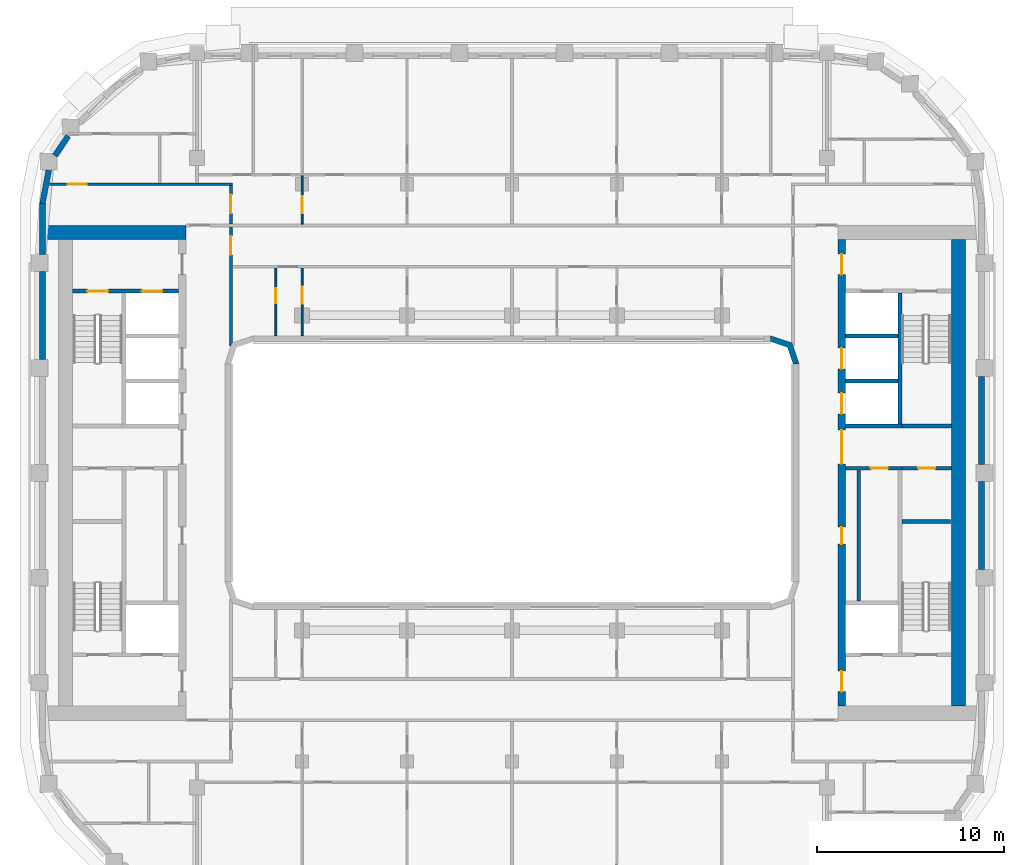
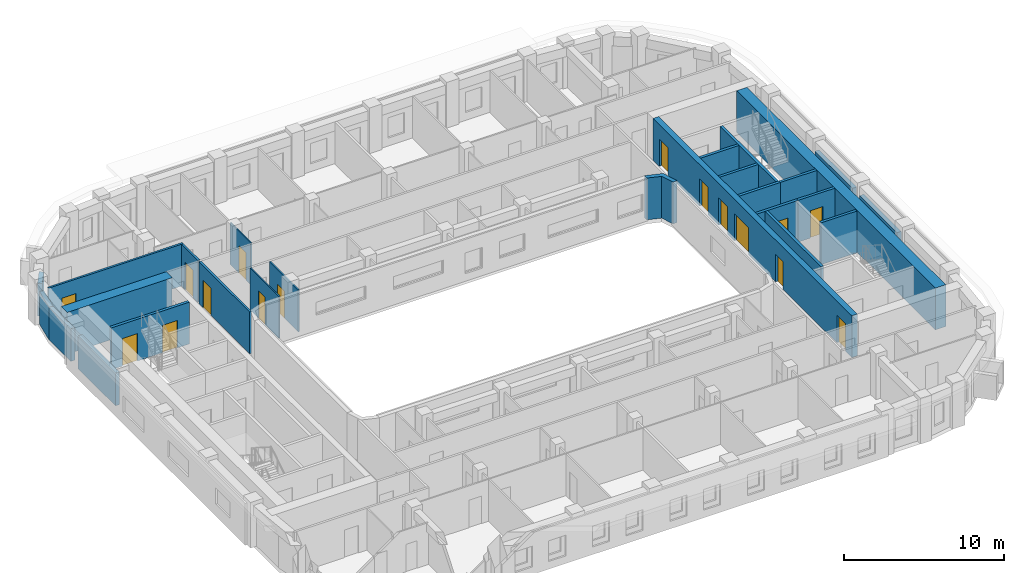
# One storey, part 6 of 21: 26 walls, 16 doors, 16 openings.
"""IFC4 building model written with IfcOpenShell, lengths in metres."""

from ifc_helpers import new_model, si_unit, direction, frame, frame_2d, origin, place, context, subcontext, project, spatial, polyline, rectangle, outline, extrude, material, layer, layer_set, type_object, element, fill, save


model = new_model("IFC4")

# Units and contexts
model_context = context("Model", 3, precision=1e-05, world=origin(), true_north=direction((0.0, 1.0)))
body_context = subcontext(model_context, "Body", "Model", "MODEL_VIEW")
ifc_project = project(units=[si_unit("LENGTHUNIT", "METRE"), si_unit("AREAUNIT", "SQUARE_METRE"), si_unit("VOLUMEUNIT", "CUBIC_METRE"), si_unit("PLANEANGLEUNIT", "RADIAN"), si_unit("MASSUNIT", "GRAM", prefix="KILO")], contexts=[model_context])

# Site, building, storey
site_placement = place(None, origin())
site = spatial("IfcSite", under=ifc_project, at=site_placement, CompositionType="ELEMENT")
building_placement = place(site_placement, origin())
building = spatial("IfcBuilding", under=site, at=building_placement, Name="Kiln Ring Residences", CompositionType="ELEMENT")
storey_placement = place(building_placement, frame((0.0, 0.0, 199.39990234375)))
storey = spatial("IfcBuildingStorey", under=building, at=storey_placement, Name="L51", CompositionType="ELEMENT", Elevation=199.39990234375)

# Wall, opening, door
ifc_material_1 = material(Name="Gypsum board on steel studs", Category="steel")
ifc_layer_1 = layer(ifc_material_1, 0.199951171875)
ifc_layer_set_1 = layer_set([ifc_layer_1], Name="CORE-PARTITION-200")
wall_type_1 = type_object("IfcWallType", Name="CORE-PARTITION-200", PredefinedType="PARTITIONING", material=ifc_layer_set_1)
wall_1_placement = place(storey_placement, frame((20.800048828125, 0.25, 0.0), z_axis=(0.0, 0.0, 1.0), x_axis=(1.0, 0.0, 0.0)))
wall_1 = element("IfcWall", 1, at=wall_1_placement, inside=storey, type_object=wall_type_1, Name="Core partition east L51 1", PredefinedType="PARTITIONING", context=body_context, shape_type="SweptSolid", body=[
    extrude(rectangle(XDim=2.64990234375, YDim=0.199951171875, at=frame_2d((1.324951171875, 0.0))), origin(), (0.0, 0.0, 1.0), 3.2001953125),
])
opening_1_placement = place(wall_1_placement, frame((0.875, 0.0, 0.0)))
opening_1 = element("IfcOpeningElement", 2, at=opening_1_placement, cuts=wall_1, Name="Opening L51-CE12", PredefinedType="OPENING", context=body_context, shape_type="SweptSolid", body=[
    extrude(rectangle(XDim=0.89990234375, YDim=2.10009765625, at=frame_2d((0.449951171875, 1.050048828125))), frame((0.0, 0.10986328125, 0.0), z_axis=(0.0, -1.0, 0.0), x_axis=(1.0, 0.0, 0.0)), (0.0, 0.0, 1.0), 0.219970703125),
])
ifc_material_2 = material(Name="Steel door leaf", Category="steel")
door_type_1 = type_object("IfcDoorType", Name="CORE-DOOR-ROOM", OperationType="SINGLE_SWING_LEFT", PredefinedType="DOOR", material=ifc_material_2)
door_1_placement = place(opening_1_placement, origin())
door_1 = element("IfcDoor", 3, at=door_1_placement, inside=storey, type_object=door_type_1, Name="Comms room L51-CE12", OperationType="SINGLE_SWING_LEFT", OverallHeight=2.10009765625, OverallWidth=0.89990234375, PredefinedType="DOOR", context=body_context, shape_type="SweptSolid", body=[
    extrude(rectangle(XDim=0.89990234375, YDim=2.10009765625, at=frame_2d((0.449951171875, 1.050048828125))), frame((0.0, 0.02490234375, 0.0), z_axis=(0.0, -1.0, 0.0), x_axis=(1.0, 0.0, 0.0)), (0.0, 0.0, 1.0), 0.050048828125),
])
fill(opening_1, door_1)

# Wall
wall_2_placement = place(storey_placement, frame((18.5, -6.85009765625, 0.0), z_axis=(0.0, 0.0, 1.0), x_axis=(0.0, 1.0, 0.0)))
element("IfcWall", 4, at=wall_2_placement, inside=storey, type_object=wall_type_1, Name="Core partition east L51 2", PredefinedType="PARTITIONING", context=body_context, shape_type="SweptSolid", body=[
    extrude(rectangle(XDim=7.0, YDim=0.199951171875, at=frame_2d((3.5, 0.0))), origin(), (0.0, 0.0, 1.0), 3.2001953125),
])

# Wall, opening, door
ifc_material_3 = material(Name="Gypsum shaft wall system")
ifc_layer_2 = layer(ifc_material_3, 0.199951171875)
ifc_layer_set_2 = layer_set([ifc_layer_2], Name="CORE-SHAFT-WALL-200")
wall_type_2 = type_object("IfcWallType", Name="CORE-SHAFT-WALL-200", PredefinedType="PARTITIONING", material=ifc_layer_set_2)
wall_3_placement = place(storey_placement, frame((17.800048828125, 0.25, 0.0), z_axis=(0.0, 0.0, 1.0), x_axis=(1.0, 0.0, 0.0)))
wall_3 = element("IfcWall", 5, at=wall_3_placement, inside=storey, type_object=wall_type_2, Name="Core partition east L51 4", PredefinedType="PARTITIONING", context=body_context, shape_type="SweptSolid", body=[
    extrude(rectangle(XDim=3.0, YDim=0.199951171875, at=frame_2d((1.5, 0.0))), origin(), (0.0, 0.0, 1.0), 3.2001953125),
])
opening_2_placement = place(wall_3_placement, frame((1.35009765625, 0.0, 0.0)))
opening_2 = element("IfcOpeningElement", 6, at=opening_2_placement, cuts=wall_3, Name="Opening L51-CE03", PredefinedType="OPENING", context=body_context, shape_type="SweptSolid", body=[
    extrude(rectangle(XDim=0.89990234375, YDim=2.10009765625, at=frame_2d((0.449951171875, 1.050048828125))), frame((0.0, 0.10986328125, 0.0), z_axis=(0.0, -1.0, 0.0), x_axis=(1.0, 0.0, 0.0)), (0.0, 0.0, 1.0), 0.219970703125),
])
door_2_placement = place(opening_2_placement, origin())
door_2 = element("IfcDoor", 7, at=door_2_placement, inside=storey, type_object=door_type_1, Name="Service store L51-CE03", OperationType="SINGLE_SWING_RIGHT", OverallHeight=2.10009765625, OverallWidth=0.89990234375, PredefinedType="DOOR", context=body_context, shape_type="SweptSolid", body=[
    extrude(rectangle(XDim=0.89990234375, YDim=2.10009765625, at=frame_2d((0.449951171875, 1.050048828125))), frame((0.0, 0.02490234375, 0.0), z_axis=(0.0, -1.0, 0.0), x_axis=(1.0, 0.0, 0.0)), (0.0, 0.0, 1.0), 0.050048828125),
])
fill(opening_2, door_2)

# Walls
wall_4_placement = place(storey_placement, frame((17.800048828125, 2.5, 0.0), z_axis=(0.0, 0.0, 1.0), x_axis=(1.0, 0.0, 0.0)))
element("IfcWall", 8, at=wall_4_placement, inside=storey, type_object=wall_type_2, Name="Core partition east L51 5", PredefinedType="PARTITIONING", context=body_context, shape_type="SweptSolid", body=[
    extrude(rectangle(XDim=3.0, YDim=0.199951171875, at=frame_2d((1.5, 0.0))), origin(), (0.0, 0.0, 1.0), 3.2001953125),
])
for number, where, z_axis, x_axis, name in (
    (9, (17.800048828125, 4.89990234375, 0.0), (0.0, 0.0, 1.0), (1.0, 0.0, 0.0), "Core partition east L51 6"),
    (10, (17.800048828125, 7.300048828125, 0.0), (0.0, 0.0, 1.0), (1.0, 0.0, 0.0), "Core partition east L51 7"),
):
    element("IfcWall", number, at=place(storey_placement, frame(where, z_axis=z_axis, x_axis=x_axis)), inside=storey, type_object=wall_type_2, Name=name, PredefinedType="PARTITIONING", context=body_context, shape_type="SweptSolid", body=[
        extrude(rectangle(XDim=2.800048828125, YDim=0.199951171875, at=frame_2d((1.39990234375, 0.0))), origin(), (0.0, 0.0, 1.0), 3.2001953125),
    ])

# Wall, openings, doors
ifc_material_4 = material(Name="Concrete C40/50", Category="concrete")
ifc_layer_3 = layer(ifc_material_4, 0.199951171875)
ifc_layer_set_3 = layer_set([ifc_layer_3], Name="CORE-WALL-RC200")
wall_type_3 = type_object("IfcWallType", Name="CORE-WALL-RC200", PredefinedType="SHEAR", material=ifc_layer_set_3)
wall_5_placement = place(storey_placement, frame((-17.800048828125, 9.699951171875, 0.0), z_axis=(0.0, 0.0, 1.0), x_axis=(-1.0, 0.0, 0.0)))
wall_5 = element("IfcWall", 11, at=wall_5_placement, inside=storey, type_object=wall_type_3, Name="Core wall west L51 9", PredefinedType="SHEAR", context=body_context, shape_type="SweptSolid", body=[
    extrude(rectangle(XDim=5.64990234375, YDim=0.199951171875, at=frame_2d((2.824951171875, 0.0))), origin(), (0.0, 0.0, 1.0), 3.2001953125),
])
opening_3_placement = place(wall_5_placement, frame((0.85009765625, 0.0, 0.0)))
opening_3 = element("IfcOpeningElement", 12, at=opening_3_placement, cuts=wall_5, Name="Opening L51-CW06", PredefinedType="OPENING", context=body_context, shape_type="SweptSolid", body=[
    extrude(rectangle(XDim=1.10009765625, YDim=2.10009765625, at=frame_2d((0.550048828125, 1.050048828125))), frame((0.0, 0.10986328125, 0.0), z_axis=(0.0, -1.0, 0.0), x_axis=(1.0, 0.0, 0.0)), (0.0, 0.0, 1.0), 0.219970703125),
])
opening_4_placement = place(wall_5_placement, frame((3.75, 0.0, 0.0)))
opening_4 = element("IfcOpeningElement", 13, at=opening_4_placement, cuts=wall_5, Name="Opening L51-CW09", PredefinedType="OPENING", context=body_context, shape_type="SweptSolid", body=[
    extrude(rectangle(XDim=1.10009765625, YDim=2.10009765625, at=frame_2d((0.550048828125, 1.050048828125))), frame((0.0, 0.10986328125, 0.0), z_axis=(0.0, -1.0, 0.0), x_axis=(1.0, 0.0, 0.0)), (0.0, 0.0, 1.0), 0.219970703125),
])
ifc_material_5 = material(Name="Steel door leaf", Category="steel")
door_type_2 = type_object("IfcDoorType", Name="CORE-DOOR-LD", OperationType="DOUBLE_DOOR_SLIDING", PredefinedType="DOOR", material=ifc_material_5)
door_3_placement = place(opening_3_placement, origin())
door_3 = element("IfcDoor", 14, at=door_3_placement, inside=storey, type_object=door_type_2, Name="LD W-FF L51-CW06", OperationType="DOUBLE_DOOR_SLIDING", OverallHeight=2.10009765625, OverallWidth=1.10009765625, PredefinedType="DOOR", context=body_context, shape_type="SweptSolid", body=[
    extrude(rectangle(XDim=1.10009765625, YDim=2.10009765625, at=frame_2d((0.550048828125, 1.050048828125))), frame((0.0, 0.02490234375, 0.0), z_axis=(0.0, -1.0, 0.0), x_axis=(1.0, 0.0, 0.0)), (0.0, 0.0, 1.0), 0.050048828125),
])
fill(opening_3, door_3)
ifc_material_6 = material(Name="Steel door leaf", Category="steel")
door_type_3 = type_object("IfcDoorType", Name="CORE-DOOR-STAIR", OperationType="SINGLE_SWING_LEFT", PredefinedType="DOOR", material=ifc_material_6)
door_4_placement = place(opening_4_placement, origin())
door_4 = element("IfcDoor", 15, at=door_4_placement, inside=storey, type_object=door_type_3, Name="Stair W-STN L51-CW09", OperationType="SINGLE_SWING_LEFT", OverallHeight=2.10009765625, OverallWidth=1.10009765625, PredefinedType="DOOR", context=body_context, shape_type="SweptSolid", body=[
    extrude(rectangle(XDim=1.10009765625, YDim=2.10009765625, at=frame_2d((0.550048828125, 1.050048828125))), frame((0.0, 0.02490234375, 0.0), z_axis=(0.0, -1.0, 0.0), x_axis=(1.0, 0.0, 0.0)), (0.0, 0.0, 1.0), 0.050048828125),
])
fill(opening_4, door_4)

# Walls
wall_6_placement = place(storey_placement, frame((20.699951171875, 2.60009765625, 0.0), z_axis=(0.0, 0.0, 1.0), x_axis=(0.0, 1.0, 0.0)))
element("IfcWall", 16, at=wall_6_placement, inside=storey, type_object=wall_type_3, Name="Core wall east L51 1", PredefinedType="SHEAR", context=body_context, shape_type="SweptSolid", body=[
    extrude(rectangle(XDim=7.0, YDim=0.199951171875, at=frame_2d((3.5, 0.0))), origin(), (0.0, 0.0, 1.0), 3.2001953125),
])
wall_7_placement = place(storey_placement, frame((20.800048828125, 2.5, 0.0), z_axis=(0.0, 0.0, 1.0), x_axis=(1.0, 0.0, 0.0)))
element("IfcWall", 17, at=wall_7_placement, inside=storey, type_object=wall_type_3, Name="Core wall east L51 3", PredefinedType="SHEAR", context=body_context, shape_type="SweptSolid", body=[
    extrude(rectangle(XDim=2.64990234375, YDim=0.199951171875, at=frame_2d((1.324951171875, 0.0))), origin(), (0.0, 0.0, 1.0), 3.2001953125),
])
wall_8_placement = place(storey_placement, frame((20.800048828125, -2.60009765625, 0.0), z_axis=(0.0, 0.0, 1.0), x_axis=(1.0, 0.0, 0.0)))
element("IfcWall", 18, at=wall_8_placement, inside=storey, type_object=wall_type_3, Name="Core wall east L51 10", PredefinedType="SHEAR", context=body_context, shape_type="SweptSolid", body=[
    extrude(rectangle(XDim=2.599853515625, YDim=0.199951171875, at=frame_2d((1.2998046875, 0.0))), origin(), (0.0, 0.0, 1.0), 3.2001953125),
])

# Wall, openings, doors
ifc_material_7 = material(Name="Concrete C60/75", Category="concrete")
ifc_layer_4 = layer(ifc_material_7, 0.39990234375)
ifc_layer_set_4 = layer_set([ifc_layer_4], Name="CORE-WALL-RC400")
wall_type_4 = type_object("IfcWallType", Name="CORE-WALL-RC400", PredefinedType="SHEAR", material=ifc_layer_set_4)
wall_9_placement = place(storey_placement, frame((17.60009765625, -12.449951171875, 0.0), z_axis=(0.0, 0.0, 1.0), x_axis=(0.0, 1.0, 0.0)))
wall_9 = element("IfcWall", 19, at=wall_9_placement, inside=storey, type_object=wall_type_4, Name="Core wall east L51 6", PredefinedType="SHEAR", context=body_context, shape_type="SweptSolid", body=[
    extrude(rectangle(XDim=24.89990234375, YDim=0.39990234375, at=frame_2d((12.449951171875, 0.0))), origin(), (0.0, 0.0, 1.0), 3.2001953125),
])
opening_5_placement = place(wall_9_placement, frame((8.64990234375, 0.0, 0.0)))
opening_5 = element("IfcOpeningElement", 20, at=opening_5_placement, cuts=wall_9, Name="Opening L51-CE02", PredefinedType="OPENING", context=body_context, shape_type="SweptSolid", body=[
    extrude(rectangle(XDim=0.89990234375, YDim=2.10009765625, at=frame_2d((0.449951171875, 1.050048828125))), frame((0.0, 0.2099609375, 0.0), z_axis=(0.0, -1.0, 0.0), x_axis=(1.0, 0.0, 0.0)), (0.0, 0.0, 1.0), 0.419921875),
])
opening_6_placement = place(wall_9_placement, frame((15.60009765625, 0.0, 0.0)))
opening_6 = element("IfcOpeningElement", 21, at=opening_6_placement, cuts=wall_9, Name="Opening L51-CE04", PredefinedType="OPENING", context=body_context, shape_type="SweptSolid", body=[
    extrude(rectangle(XDim=1.10009765625, YDim=2.10009765625, at=frame_2d((0.550048828125, 1.050048828125))), frame((0.0, 0.2099609375, 0.0), z_axis=(0.0, -1.0, 0.0), x_axis=(1.0, 0.0, 0.0)), (0.0, 0.0, 1.0), 0.419921875),
])
opening_7_placement = place(wall_9_placement, frame((18.0, 0.0, 0.0)))
opening_7 = element("IfcOpeningElement", 22, at=opening_7_placement, cuts=wall_9, Name="Opening L51-CE05", PredefinedType="OPENING", context=body_context, shape_type="SweptSolid", body=[
    extrude(rectangle(XDim=1.10009765625, YDim=2.10009765625, at=frame_2d((0.550048828125, 1.050048828125))), frame((0.0, 0.2099609375, 0.0), z_axis=(0.0, -1.0, 0.0), x_axis=(1.0, 0.0, 0.0)), (0.0, 0.0, 1.0), 0.419921875),
])
opening_8_placement = place(wall_9_placement, frame((23.02490234375, 0.0, 0.0)))
opening_8 = element("IfcOpeningElement", 23, at=opening_8_placement, cuts=wall_9, Name="Opening L51-CE07", PredefinedType="OPENING", context=body_context, shape_type="SweptSolid", body=[
    extrude(rectangle(XDim=1.10009765625, YDim=2.10009765625, at=frame_2d((0.550048828125, 1.050048828125))), frame((0.0, 0.2099609375, 0.0), z_axis=(0.0, -1.0, 0.0), x_axis=(1.0, 0.0, 0.0)), (0.0, 0.0, 1.0), 0.419921875),
])
opening_9_placement = place(wall_9_placement, frame((0.77490234375, 0.0, 0.0)))
opening_9 = element("IfcOpeningElement", 24, at=opening_9_placement, cuts=wall_9, Name="Opening L51-CE08", PredefinedType="OPENING", context=body_context, shape_type="SweptSolid", body=[
    extrude(rectangle(XDim=1.10009765625, YDim=2.10009765625, at=frame_2d((0.550048828125, 1.050048828125))), frame((0.0, 0.2099609375, 0.0), z_axis=(0.0, -1.0, 0.0), x_axis=(1.0, 0.0, 0.0)), (0.0, 0.0, 1.0), 0.419921875),
])
opening_10_placement = place(wall_9_placement, frame((12.925048828125, 0.0, 0.0)))
opening_10 = element("IfcOpeningElement", 25, at=opening_10_placement, cuts=wall_9, Name="Opening L51-CE11", PredefinedType="OPENING", context=body_context, shape_type="SweptSolid", body=[
    extrude(rectangle(XDim=1.800048828125, YDim=2.10009765625, at=frame_2d((0.89990234375, 1.050048828125))), frame((0.0, 0.2099609375, 0.0), z_axis=(0.0, -1.0, 0.0), x_axis=(1.0, 0.0, 0.0)), (0.0, 0.0, 1.0), 0.419921875),
])
door_5_placement = place(opening_6_placement, origin())
door_5 = element("IfcDoor", 26, at=door_5_placement, inside=storey, type_object=door_type_2, Name="LD E-M1 L51-CE04", OperationType="DOUBLE_DOOR_SLIDING", OverallHeight=2.10009765625, OverallWidth=1.10009765625, PredefinedType="DOOR", context=body_context, shape_type="SweptSolid", body=[
    extrude(rectangle(XDim=1.10009765625, YDim=2.10009765625, at=frame_2d((0.550048828125, 1.050048828125))), frame((0.0, 0.02490234375, 0.0), z_axis=(0.0, -1.0, 0.0), x_axis=(1.0, 0.0, 0.0)), (0.0, 0.0, 1.0), 0.050048828125),
])
fill(opening_6, door_5)
door_6_placement = place(opening_7_placement, origin())
door_6 = element("IfcDoor", 27, at=door_6_placement, inside=storey, type_object=door_type_2, Name="LD E-M2 L51-CE05", OperationType="DOUBLE_DOOR_SLIDING", OverallHeight=2.10009765625, OverallWidth=1.10009765625, PredefinedType="DOOR", context=body_context, shape_type="SweptSolid", body=[
    extrude(rectangle(XDim=1.10009765625, YDim=2.10009765625, at=frame_2d((0.550048828125, 1.050048828125))), frame((0.0, 0.02490234375, 0.0), z_axis=(0.0, -1.0, 0.0), x_axis=(1.0, 0.0, 0.0)), (0.0, 0.0, 1.0), 0.050048828125),
])
fill(opening_7, door_6)
ifc_material_8 = material(Name="Steel door leaf", Category="steel")
door_type_4 = type_object("IfcDoorType", Name="CORE-DOOR-LOBBY", OperationType="SINGLE_SWING_LEFT", PredefinedType="DOOR", material=ifc_material_8)
door_7_placement = place(opening_8_placement, origin())
door_7 = element("IfcDoor", 28, at=door_7_placement, inside=storey, type_object=door_type_4, Name="FFL L51-CE07", OperationType="SINGLE_SWING_LEFT", OverallHeight=2.10009765625, OverallWidth=1.10009765625, PredefinedType="DOOR", context=body_context, shape_type="SweptSolid", body=[
    extrude(rectangle(XDim=1.10009765625, YDim=2.10009765625, at=frame_2d((0.550048828125, 1.050048828125))), frame((0.0, 0.02490234375, 0.0), z_axis=(0.0, -1.0, 0.0), x_axis=(1.0, 0.0, 0.0)), (0.0, 0.0, 1.0), 0.050048828125),
])
fill(opening_8, door_7)
door_8_placement = place(opening_9_placement, origin())
door_8 = element("IfcDoor", 29, at=door_8_placement, inside=storey, type_object=door_type_4, Name="SVL L51-CE08", OperationType="SINGLE_SWING_RIGHT", OverallHeight=2.10009765625, OverallWidth=1.10009765625, PredefinedType="DOOR", context=body_context, shape_type="SweptSolid", body=[
    extrude(rectangle(XDim=1.10009765625, YDim=2.10009765625, at=frame_2d((0.550048828125, 1.050048828125))), frame((0.0, 0.02490234375, 0.0), z_axis=(0.0, -1.0, 0.0), x_axis=(1.0, 0.0, 0.0)), (0.0, 0.0, 1.0), 0.050048828125),
])
fill(opening_9, door_8)
ifc_material_9 = material(Name="Steel door leaf", Category="steel")
door_type_5 = type_object("IfcDoorType", Name="CORE-DOOR-PASS", OperationType="DOUBLE_DOOR_SINGLE_SWING", PredefinedType="DOOR", material=ifc_material_9)
door_9_placement = place(opening_10_placement, origin())
door_9 = element("IfcDoor", 30, at=door_9_placement, inside=storey, type_object=door_type_5, Name="Core passage L51-CE11", OperationType="DOUBLE_DOOR_SINGLE_SWING", OverallHeight=2.10009765625, OverallWidth=1.800048828125, PredefinedType="DOOR", context=body_context, shape_type="SweptSolid", body=[
    extrude(rectangle(XDim=1.800048828125, YDim=2.10009765625, at=frame_2d((0.89990234375, 1.050048828125))), frame((0.0, 0.02490234375, 0.0), z_axis=(0.0, -1.0, 0.0), x_axis=(1.0, 0.0, 0.0)), (0.0, 0.0, 1.0), 0.050048828125),
])
fill(opening_10, door_9)
door_10_placement = place(opening_5_placement, origin())
door_10 = element("IfcDoor", 31, at=door_10_placement, inside=storey, type_object=door_type_1, Name="Locker store L51-CE02", OperationType="SINGLE_SWING_LEFT", OverallHeight=2.10009765625, OverallWidth=0.89990234375, PredefinedType="DOOR", context=body_context, shape_type="SweptSolid", body=[
    extrude(rectangle(XDim=0.89990234375, YDim=2.10009765625, at=frame_2d((0.449951171875, 1.050048828125))), frame((0.0, 0.02490234375, 0.0), z_axis=(0.0, -1.0, 0.0), x_axis=(1.0, 0.0, 0.0)), (0.0, 0.0, 1.0), 0.050048828125),
])
fill(opening_5, door_10)

# Walls
ifc_material_10 = material(Name="Concrete C60/75", Category="concrete")
ifc_layer_5 = layer(ifc_material_10, 0.75)
ifc_layer_set_5 = layer_set([ifc_layer_5], Name="CORE-WALL-RC750")
wall_type_5 = type_object("IfcWallType", Name="CORE-WALL-RC750", PredefinedType="SHEAR", material=ifc_layer_set_5)
wall_10_placement = place(storey_placement, frame((-17.39990234375, 12.824951171875, 0.0), z_axis=(0.0, 0.0, 1.0), x_axis=(-1.0, 0.0, 0.0)))
element("IfcWall", 32, at=wall_10_placement, inside=storey, type_object=wall_type_5, Name="Core wall west L51 4", PredefinedType="SHEAR", context=body_context, shape_type="SweptSolid", body=[
    extrude(rectangle(XDim=7.60009765625, YDim=0.75, at=frame_2d((3.800048828125, 0.0))), origin(), (0.0, 0.0, 1.0), 3.2001953125),
])
wall_11_placement = place(storey_placement, frame((23.824951171875, -12.449951171875, 0.0), z_axis=(0.0, 0.0, 1.0), x_axis=(0.0, 1.0, 0.0)))
element("IfcWall", 33, at=wall_11_placement, inside=storey, type_object=wall_type_5, Name="Core wall east L51 7", PredefinedType="SHEAR", context=body_context, shape_type="SweptSolid", body=[
    extrude(rectangle(XDim=24.89990234375, YDim=0.75, at=frame_2d((12.449951171875, 0.0))), origin(), (0.0, 0.0, 1.0), 3.2001953125),
])
ifc_material_11 = material(Name="Brick masonry, dark clay brick", Category="masonry")
ifc_layer_6 = layer(ifc_material_11, 0.300048828125)
ifc_layer_set_6 = layer_set([ifc_layer_6], Name="EW-300 BRICK WALL")
wall_type_6 = type_object("IfcWallType", Name="EW-300 BRICK WALL", PredefinedType="SOLIDWALL", material=ifc_layer_set_6)
for number, where, z_axis, x_axis, name in (
    (34, (25.050048828125, -5.14990234375, 0.0), (0.0, 0.0, 1.0), (0.0, 1.0, 0.0), "Facade wall L51 18"),
    (35, (25.050048828125, 0.449951171875, 0.0), (0.0, 0.0, 1.0), (0.0, 1.0, 0.0), "Facade wall L51 19"),
):
    element("IfcWall", number, at=place(storey_placement, frame(where, z_axis=z_axis, x_axis=x_axis)), inside=storey, type_object=wall_type_6, Name=name, PredefinedType="SOLIDWALL", context=body_context, shape_type="SweptSolid", body=[
        extrude(rectangle(XDim=4.699951171875, YDim=0.300048828125, at=frame_2d((2.35009765625, 0.0))), origin(), (0.0, 0.0, 1.0), 2.5),
    ])
wall_12_placement = place(storey_placement, frame((-23.67626953125, 17.975341796875, 0.0), z_axis=(0.0, 0.0, 1.0), x_axis=(-0.56200149592, -0.827136215253, 0.0)))
element("IfcWall", 36, at=wall_12_placement, inside=storey, type_object=wall_type_6, Name="Facade wall L51 37", PredefinedType="SOLIDWALL", context=body_context, shape_type="SweptSolid", body=[
    extrude(rectangle(XDim=1.277099609375, YDim=0.300048828125, at=frame_2d((0.638671875, 0.0))), origin(), (0.0, 0.0, 1.0), 2.5),
])
wall_13_placement = place(storey_placement, frame((-24.71435546875, 16.14599609375, 0.0), z_axis=(0.0, 0.0, 1.0), x_axis=(-0.187348135549, -0.982293579388, 0.0)))
element("IfcWall", 37, at=wall_13_placement, inside=storey, type_object=wall_type_6, Name="Facade wall L51 38", PredefinedType="SOLIDWALL", context=body_context, shape_type="SweptSolid", body=[
    extrude(rectangle(XDim=1.80615234375, YDim=0.300048828125, at=frame_2d((0.903076171875, 0.0))), origin(), (0.0, 0.0, 1.0), 2.5),
])
wall_14_placement = place(storey_placement, frame((-25.050048828125, 14.39990234375, 0.0), z_axis=(0.0, 0.0, 1.0), x_axis=(0.0, -1.0, 0.0)))
element("IfcWall", 38, at=wall_14_placement, inside=storey, type_object=wall_type_6, Name="Facade wall L51 39", PredefinedType="SOLIDWALL", context=body_context, shape_type="SweptSolid", body=[
    extrude(rectangle(XDim=2.75, YDim=0.300048828125, at=frame_2d((1.375, 0.0))), origin(), (0.0, 0.0, 1.0), 2.5),
])
wall_15_placement = place(storey_placement, frame((-25.050048828125, 10.75, 0.0), z_axis=(0.0, 0.0, 1.0), x_axis=(0.0, -1.0, 0.0)))
element("IfcWall", 39, at=wall_15_placement, inside=storey, type_object=wall_type_6, Name="Facade wall L51 40", PredefinedType="SOLIDWALL", context=body_context, shape_type="SweptSolid", body=[
    extrude(rectangle(XDim=4.699951171875, YDim=0.300048828125, at=frame_2d((2.35009765625, 0.0))), origin(), (0.0, 0.0, 1.0), 2.5),
])
wall_16_placement = place(storey_placement, origin())
element("IfcWall", 40, at=wall_16_placement, inside=storey, type_object=wall_type_6, Name="Corner wall L51 2", PredefinedType="SOLIDWALL", context=body_context, shape_type="SweptSolid", body=[
    extrude(outline(polyline([(14.937255859375, 6.937255859375), (13.8486328125, 7.300048828125), (13.800048828125, 7.300048828125), (13.800048828125, 7.0), (14.699951171875, 6.699951171875), (15.0, 5.800048828125), (15.300048828125, 5.800048828125), (15.300048828125, 5.8486328125), (14.937255859375, 6.937255859375)])), origin(), (0.0, 0.0, 1.0), 3.2001953125),
])

# Wall, opening, door
ifc_material_12 = material(Name="Gypsum board on steel studs", Category="steel")
ifc_layer_7 = layer(ifc_material_12, 0.10009765625)
ifc_layer_set_7 = layer_set([ifc_layer_7], Name="PARTITION-100")
wall_type_7 = type_object("IfcWallType", Name="PARTITION-100", PredefinedType="PARTITIONING", material=ifc_layer_set_7)
wall_17_placement = place(storey_placement, frame((-12.60009765625, 7.320068359375, 0.0), z_axis=(0.0, 0.0, 1.0), x_axis=(0.0, 1.0, 0.0)))
wall_17 = element("IfcWall", 41, at=wall_17_placement, inside=storey, type_object=wall_type_7, Name="Partition 024", PredefinedType="PARTITIONING", context=body_context, shape_type="SweptSolid", body=[
    extrude(rectangle(XDim=3.60498046875, YDim=0.10009765625, at=frame_2d((1.802490234375, 0.0))), origin(), (0.0, 0.0, 1.0), 3.2001953125),
])
opening_11_placement = place(wall_17_placement, frame((1.72900390625, 0.0, 0.0)))
opening_11 = element("IfcOpeningElement", 42, at=opening_11_placement, cuts=wall_17, Name="Opening L51-D010", PredefinedType="OPENING", context=body_context, shape_type="SweptSolid", body=[
    extrude(rectangle(XDim=0.800048828125, YDim=2.10009765625, at=frame_2d((0.39990234375, 1.050048828125))), frame((0.0, 0.06005859375, 0.0), z_axis=(0.0, -1.0, 0.0), x_axis=(1.0, 0.0, 0.0)), (0.0, 0.0, 1.0), 0.1201171875),
])
ifc_material_13 = material(Name="Timber door leaf", Category="wood")
door_type_6 = type_object("IfcDoorType", Name="FLAT-DOOR-800-PL", OperationType="SINGLE_SWING_LEFT", PredefinedType="DOOR", material=ifc_material_13)
door_11_placement = place(opening_11_placement, origin())
door_11 = element("IfcDoor", 43, at=door_11_placement, inside=storey, type_object=door_type_6, Name="Door L51-D010", OperationType="SINGLE_SWING_LEFT", OverallHeight=2.10009765625, OverallWidth=0.800048828125, PredefinedType="DOOR", context=body_context, shape_type="SweptSolid", body=[
    extrude(rectangle(XDim=0.800048828125, YDim=2.10009765625, at=frame_2d((0.39990234375, 1.050048828125))), frame((0.0, 0.02490234375, 0.0), z_axis=(0.0, -1.0, 0.0), x_axis=(1.0, 0.0, 0.0)), (0.0, 0.0, 1.0), 0.050048828125),
])
fill(opening_11, door_11)

wall_18_placement = place(storey_placement, frame((-11.199951171875, 7.320068359375, 0.0), z_axis=(0.0, 0.0, 1.0), x_axis=(0.0, 1.0, 0.0)))
wall_18 = element("IfcWall", 44, at=wall_18_placement, inside=storey, type_object=wall_type_7, Name="Partition 028", PredefinedType="PARTITIONING", context=body_context, shape_type="SweptSolid", body=[
    extrude(rectangle(XDim=3.60498046875, YDim=0.10009765625, at=frame_2d((1.802490234375, 0.0))), origin(), (0.0, 0.0, 1.0), 3.2001953125),
])
opening_12_placement = place(wall_18_placement, frame((1.699951171875, 0.0, 0.0)))
opening_12 = element("IfcOpeningElement", 45, at=opening_12_placement, cuts=wall_18, Name="Opening L51-D011", PredefinedType="OPENING", context=body_context, shape_type="SweptSolid", body=[
    extrude(rectangle(XDim=0.89990234375, YDim=2.10009765625, at=frame_2d((0.449951171875, 1.050048828125))), frame((0.0, 0.06005859375, 0.0), z_axis=(0.0, -1.0, 0.0), x_axis=(1.0, 0.0, 0.0)), (0.0, 0.0, 1.0), 0.1201171875),
])
ifc_material_14 = material(Name="Timber door leaf", Category="wood")
door_type_7 = type_object("IfcDoorType", Name="FLAT-DOOR-900-PL", OperationType="SINGLE_SWING_LEFT", PredefinedType="DOOR", material=ifc_material_14)
door_12_placement = place(opening_12_placement, origin())
door_12 = element("IfcDoor", 46, at=door_12_placement, inside=storey, type_object=door_type_7, Name="Door L51-D011", OperationType="SINGLE_SWING_RIGHT", OverallHeight=2.10009765625, OverallWidth=0.89990234375, PredefinedType="DOOR", context=body_context, shape_type="SweptSolid", body=[
    extrude(rectangle(XDim=0.89990234375, YDim=2.10009765625, at=frame_2d((0.449951171875, 1.050048828125))), frame((0.0, 0.02490234375, 0.0), z_axis=(0.0, -1.0, 0.0), x_axis=(1.0, 0.0, 0.0)), (0.0, 0.0, 1.0), 0.050048828125),
])
fill(opening_12, door_12)

wall_19_placement = place(storey_placement, frame((-11.199951171875, 13.27490234375, 0.0), z_axis=(0.0, 0.0, 1.0), x_axis=(0.0, 1.0, 0.0)))
wall_19 = element("IfcWall", 47, at=wall_19_placement, inside=storey, type_object=wall_type_7, Name="Partition 029", PredefinedType="PARTITIONING", context=body_context, shape_type="SweptSolid", body=[
    extrude(rectangle(XDim=2.5751953125, YDim=0.10009765625, at=frame_2d((1.28759765625, 0.0))), origin(), (0.0, 0.0, 1.0), 3.2001953125),
])
opening_13_placement = place(wall_19_placement, frame((0.575927734375, 0.0, 0.0)))
opening_13 = element("IfcOpeningElement", 48, at=opening_13_placement, cuts=wall_19, Name="Opening L51-D018", PredefinedType="OPENING", context=body_context, shape_type="SweptSolid", body=[
    extrude(rectangle(XDim=0.89990234375, YDim=2.10009765625, at=frame_2d((0.449951171875, 1.050048828125))), frame((0.0, 0.06005859375, 0.0), z_axis=(0.0, -1.0, 0.0), x_axis=(1.0, 0.0, 0.0)), (0.0, 0.0, 1.0), 0.1201171875),
])
door_13_placement = place(opening_13_placement, origin())
door_13 = element("IfcDoor", 49, at=door_13_placement, inside=storey, type_object=door_type_7, Name="Door L51-D018", OperationType="SINGLE_SWING_LEFT", OverallHeight=2.10009765625, OverallWidth=0.89990234375, PredefinedType="DOOR", context=body_context, shape_type="SweptSolid", body=[
    extrude(rectangle(XDim=0.89990234375, YDim=2.10009765625, at=frame_2d((0.449951171875, 1.050048828125))), frame((0.0, 0.02490234375, 0.0), z_axis=(0.0, -1.0, 0.0), x_axis=(1.0, 0.0, 0.0)), (0.0, 0.0, 1.0), 0.050048828125),
])
fill(opening_13, door_13)

ifc_material_15 = material(Name="Brick masonry partition", Category="masonry")
ifc_layer_8 = layer(ifc_material_15, 0.14990234375)
ifc_layer_set_8 = layer_set([ifc_layer_8], Name="PARTITION-150-ei60")
wall_type_8 = type_object("IfcWallType", Name="PARTITION-150-ei60", PredefinedType="PARTITIONING", material=ifc_layer_set_8)
wall_20_placement = place(storey_placement, frame((-24.683837890625, 15.39990234375, 0.0), z_axis=(0.0, 0.0, 1.0), x_axis=(1.0, 0.0, 0.0)))
wall_20 = element("IfcWall", 50, at=wall_20_placement, inside=storey, type_object=wall_type_8, Name="Partition 009", PredefinedType="PARTITIONING", context=body_context, shape_type="SweptSolid", body=[
    extrude(rectangle(XDim=9.7587890625, YDim=0.14990234375, at=frame_2d((4.87939453125, 0.0))), origin(), (0.0, 0.0, 1.0), 3.2001953125),
])
opening_14_placement = place(wall_20_placement, frame((0.98388671875, 0.0, 0.0)))
opening_14 = element("IfcOpeningElement", 51, at=opening_14_placement, cuts=wall_20, Name="Opening L51-D034", PredefinedType="OPENING", context=body_context, shape_type="SweptSolid", body=[
    extrude(rectangle(XDim=1.0, YDim=2.10009765625, at=frame_2d((0.5, 1.050048828125))), frame((0.0, 0.0849609375, 0.0), z_axis=(0.0, -1.0, 0.0), x_axis=(1.0, 0.0, 0.0)), (0.0, 0.0, 1.0), 0.169921875),
])
ifc_material_16 = material(Name="Steel faced fire door leaf", Category="steel")
door_type_8 = type_object("IfcDoorType", Name="FLAT-DOOR-1000-FR", OperationType="SINGLE_SWING_LEFT", PredefinedType="DOOR", material=ifc_material_16)
door_14_placement = place(opening_14_placement, origin())
door_14 = element("IfcDoor", 52, at=door_14_placement, inside=storey, type_object=door_type_8, Name="Door L51-D034", OperationType="SINGLE_SWING_RIGHT", OverallHeight=2.10009765625, OverallWidth=1.0, PredefinedType="DOOR", context=body_context, shape_type="SweptSolid", body=[
    extrude(rectangle(XDim=1.0, YDim=2.10009765625, at=frame_2d((0.5, 1.050048828125))), frame((0.0, 0.02490234375, 0.0), z_axis=(0.0, -1.0, 0.0), x_axis=(1.0, 0.0, 0.0)), (0.0, 0.0, 1.0), 0.050048828125),
])
fill(opening_14, door_14)

wall_21_placement = place(storey_placement, frame((-15.0, 6.768798828125, 0.0), z_axis=(0.0, 0.0, 1.0), x_axis=(0.0, 1.0, 0.0)))
wall_21 = element("IfcWall", 53, at=wall_21_placement, inside=storey, type_object=wall_type_8, Name="Partition 020", PredefinedType="PARTITIONING", context=body_context, shape_type="SweptSolid", body=[
    extrude(rectangle(XDim=6.356201171875, YDim=0.14990234375, at=frame_2d((3.17822265625, 0.0))), origin(), (0.0, 0.0, 1.0), 3.2001953125),
])
opening_15_placement = place(wall_21_placement, frame((4.860107421875, 0.0, 0.0)))
opening_15 = element("IfcOpeningElement", 54, at=opening_15_placement, cuts=wall_21, Name="Opening L51-D001", PredefinedType="OPENING", context=body_context, shape_type="SweptSolid", body=[
    extrude(rectangle(XDim=1.0, YDim=2.10009765625, at=frame_2d((0.5, 1.050048828125))), frame((0.0, 0.0849609375, 0.0), z_axis=(0.0, -1.0, 0.0), x_axis=(1.0, 0.0, 0.0)), (0.0, 0.0, 1.0), 0.169921875),
])
door_15_placement = place(opening_15_placement, origin())
door_15 = element("IfcDoor", 55, at=door_15_placement, inside=storey, type_object=door_type_8, Name="Door L51-D001", OperationType="SINGLE_SWING_RIGHT", OverallHeight=2.10009765625, OverallWidth=1.0, PredefinedType="DOOR", context=body_context, shape_type="SweptSolid", body=[
    extrude(rectangle(XDim=1.0, YDim=2.10009765625, at=frame_2d((0.5, 1.050048828125))), frame((0.0, 0.02490234375, 0.0), z_axis=(0.0, -1.0, 0.0), x_axis=(1.0, 0.0, 0.0)), (0.0, 0.0, 1.0), 0.050048828125),
])
fill(opening_15, door_15)

wall_22_placement = place(storey_placement, frame((-15.0, 13.27490234375, 0.0), z_axis=(0.0, 0.0, 1.0), x_axis=(0.0, 1.0, 0.0)))
wall_22 = element("IfcWall", 56, at=wall_22_placement, inside=storey, type_object=wall_type_8, Name="Partition 021", PredefinedType="PARTITIONING", context=body_context, shape_type="SweptSolid", body=[
    extrude(rectangle(XDim=2.050048828125, YDim=0.14990234375, at=frame_2d((1.02490234375, 0.0))), origin(), (0.0, 0.0, 1.0), 3.2001953125),
])
opening_16_placement = place(wall_22_placement, frame((0.575927734375, 0.0, 0.0)))
opening_16 = element("IfcOpeningElement", 57, at=opening_16_placement, cuts=wall_22, Name="Opening L51-D017", PredefinedType="OPENING", context=body_context, shape_type="SweptSolid", body=[
    extrude(rectangle(XDim=1.0, YDim=2.10009765625, at=frame_2d((0.5, 1.050048828125))), frame((0.0, 0.0849609375, 0.0), z_axis=(0.0, -1.0, 0.0), x_axis=(1.0, 0.0, 0.0)), (0.0, 0.0, 1.0), 0.169921875),
])
door_16_placement = place(opening_16_placement, origin())
door_16 = element("IfcDoor", 58, at=door_16_placement, inside=storey, type_object=door_type_8, Name="Door L51-D017", OperationType="SINGLE_SWING_LEFT", OverallHeight=2.10009765625, OverallWidth=1.0, PredefinedType="DOOR", context=body_context, shape_type="SweptSolid", body=[
    extrude(rectangle(XDim=1.0, YDim=2.10009765625, at=frame_2d((0.5, 1.050048828125))), frame((0.0, 0.02490234375, 0.0), z_axis=(0.0, -1.0, 0.0), x_axis=(1.0, 0.0, 0.0)), (0.0, 0.0, 1.0), 0.050048828125),
])
fill(opening_16, door_16)

save(model, "model.ifc")
